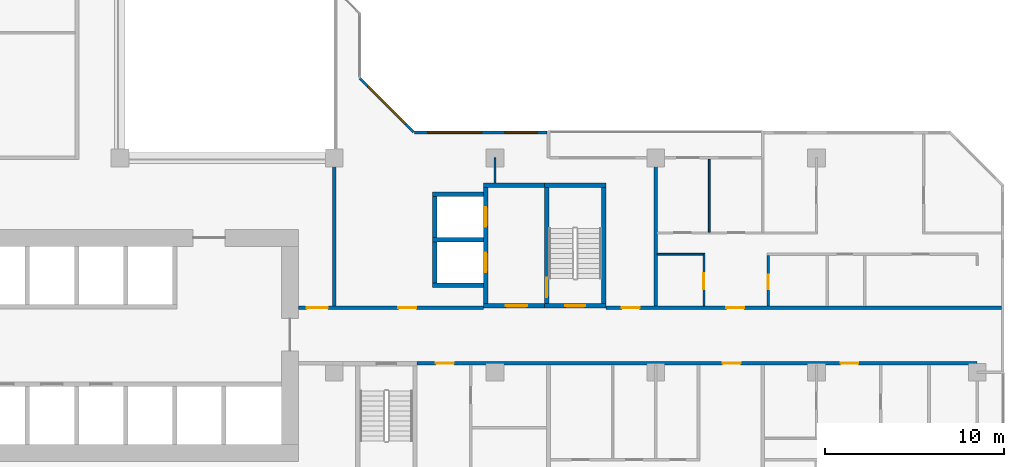
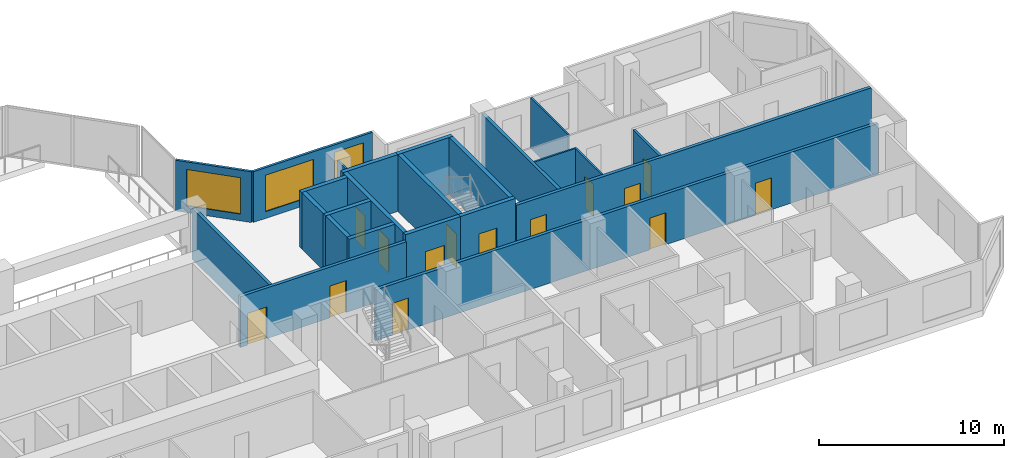
# One storey, part 7 of 14: 24 walls, 14 doors, 3 windows, 17 openings.
"""IFC4 building model written with IfcOpenShell, lengths in metres."""

from ifc_helpers import new_model, si_unit, direction, frame, frame_2d, origin, place, context, subcontext, project, spatial, rectangle, extrude, material, layer, layer_set, type_object, element, fill, save


model = new_model("IFC4")

# Units and contexts
model_context = context("Model", 3, precision=1e-05, world=origin(), true_north=direction((0.0, 1.0)))
body_context = subcontext(model_context, "Body", "Model", "MODEL_VIEW")
ifc_project = project(units=[si_unit("LENGTHUNIT", "METRE"), si_unit("AREAUNIT", "SQUARE_METRE"), si_unit("VOLUMEUNIT", "CUBIC_METRE"), si_unit("PLANEANGLEUNIT", "RADIAN"), si_unit("MASSUNIT", "GRAM", prefix="KILO")], contexts=[model_context])

# Site, building, storey
site_placement = place(None, origin())
site = spatial("IfcSite", under=ifc_project, at=site_placement, CompositionType="ELEMENT")
building_placement = place(site_placement, origin())
building = spatial("IfcBuilding", under=site, at=building_placement, Name="Chenar Terraces", CompositionType="ELEMENT")
storey_placement = place(building_placement, frame((0.0, 0.0, 110.64990234375)))
storey = spatial("IfcBuildingStorey", under=building, at=storey_placement, Name="L25", CompositionType="ELEMENT", Elevation=110.64990234375)

# Wall, opening, door
ifc_material_1 = material(Name="Concrete C70/85", Category="concrete")
ifc_layer_1 = layer(ifc_material_1, 0.25)
ifc_layer_set_1 = layer_set([ifc_layer_1], Name="Concrete C70/85")
wall_type_1 = type_object("IfcWallType", Name="Core wall 250 Concrete C70/85", PredefinedType="SHEAR", material=ifc_layer_set_1)
wall_1_placement = place(storey_placement, frame((47.77490234375, 15.72509765625, 0.0), z_axis=(0.0, 0.0, 1.0), x_axis=(1.0, 0.0, 0.0)))
wall_1 = element("IfcWall", 1, at=wall_1_placement, inside=storey, type_object=wall_type_1, Name="Core wall ST3_S L25", PredefinedType="SHEAR", context=body_context, shape_type="SweptSolid", body=[
    extrude(rectangle(XDim=3.4501953125, YDim=0.25, at=frame_2d((1.72509765625, 0.0))), origin(), (0.0, 0.0, 1.0), 3.75),
])
opening_1_placement = place(wall_1_placement, frame((1.175048828125, 0.0, 0.0)))
opening_1 = element("IfcOpeningElement", 2, at=opening_1_placement, cuts=wall_1, Name="Opening DL25-C8", PredefinedType="OPENING", context=body_context, shape_type="SweptSolid", body=[
    extrude(rectangle(XDim=1.10009765625, YDim=2.199951171875, at=frame_2d((0.550048828125, 1.10009765625))), frame((0.0, 0.135009765625, 0.0), z_axis=(0.0, -1.0, 0.0), x_axis=(1.0, 0.0, 0.0)), (0.0, 0.0, 1.0), 0.27001953125),
])
ifc_material_2 = material(Name="Steel-framed fire-resisting door leaf", Category="steel")
door_type_1 = type_object("IfcDoorType", Name="Stair fire door FD60 1100 x 2200", OperationType="SINGLE_SWING_LEFT", PredefinedType="DOOR", material=ifc_material_2)
door_1_placement = place(opening_1_placement, frame((1.10009765625, 0.0, 0.0), z_axis=(0.0, 0.0, 1.0), x_axis=(-1.0, 0.0, 0.0)))
door_1 = element("IfcDoor", 3, at=door_1_placement, inside=storey, type_object=door_type_1, Name="Stair door DL25-C8", OperationType="SINGLE_SWING_LEFT", OverallHeight=2.199951171875, OverallWidth=1.10009765625, PredefinedType="DOOR", context=body_context, shape_type="SweptSolid", body=[
    extrude(rectangle(XDim=1.10009765625, YDim=2.199951171875, at=frame_2d((0.550048828125, 1.10009765625))), frame((0.0, 0.02490234375, 0.0), z_axis=(0.0, -1.0, 0.0), x_axis=(1.0, 0.0, 0.0)), (0.0, 0.0, 1.0), 0.050048828125),
])
fill(opening_1, door_1)

# Wall
wall_2_placement = place(storey_placement, frame((47.77490234375, 22.47509765625, 0.0), z_axis=(0.0, 0.0, 1.0), x_axis=(1.0, 0.0, 0.0)))
element("IfcWall", 4, at=wall_2_placement, inside=storey, type_object=wall_type_1, Name="Core wall ST3_N L25", PredefinedType="SHEAR", context=body_context, shape_type="SweptSolid", body=[
    extrude(rectangle(XDim=3.4501953125, YDim=0.25, at=frame_2d((1.72509765625, 0.0))), origin(), (0.0, 0.0, 1.0), 3.75),
])

# Wall, opening, door
wall_3_placement = place(storey_placement, frame((47.89990234375, 15.85009765625, 0.0), z_axis=(0.0, 0.0, 1.0), x_axis=(0.0, 1.0, 0.0)))
wall_3 = element("IfcWall", 5, at=wall_3_placement, inside=storey, type_object=wall_type_1, Name="Core wall ST3_W L25", PredefinedType="SHEAR", context=body_context, shape_type="SweptSolid", body=[
    extrude(rectangle(XDim=6.5, YDim=0.25, at=frame_2d((3.25, 0.0))), origin(), (0.0, 0.0, 1.0), 3.75),
])
opening_2_placement = place(wall_3_placement, frame((0.35009765625, 0.0, 0.0)))
opening_2 = element("IfcOpeningElement", 6, at=opening_2_placement, cuts=wall_3, Name="Opening DL25-C11", PredefinedType="OPENING", context=body_context, shape_type="SweptSolid", body=[
    extrude(rectangle(XDim=1.10009765625, YDim=2.199951171875, at=frame_2d((0.550048828125, 1.10009765625))), frame((0.0, 0.135009765625, 0.0), z_axis=(0.0, -1.0, 0.0), x_axis=(1.0, 0.0, 0.0)), (0.0, 0.0, 1.0), 0.27001953125),
])
door_2_placement = place(opening_2_placement, frame((1.10009765625, 0.0, 0.0), z_axis=(0.0, 0.0, 1.0), x_axis=(-1.0, 0.0, 0.0)))
door_2 = element("IfcDoor", 7, at=door_2_placement, inside=storey, type_object=door_type_1, Name="Stair door DL25-C11", OperationType="SINGLE_SWING_RIGHT", OverallHeight=2.199951171875, OverallWidth=1.10009765625, PredefinedType="DOOR", context=body_context, shape_type="SweptSolid", body=[
    extrude(rectangle(XDim=1.10009765625, YDim=2.199951171875, at=frame_2d((0.550048828125, 1.10009765625))), frame((0.0, 0.02490234375, 0.0), z_axis=(0.0, -1.0, 0.0), x_axis=(1.0, 0.0, 0.0)), (0.0, 0.0, 1.0), 0.050048828125),
])
fill(opening_2, door_2)

# Wall
wall_4_placement = place(storey_placement, frame((51.10009765625, 15.85009765625, 0.0), z_axis=(0.0, 0.0, 1.0), x_axis=(0.0, 1.0, 0.0)))
element("IfcWall", 8, at=wall_4_placement, inside=storey, type_object=wall_type_1, Name="Core wall ST3_E L25", PredefinedType="SHEAR", context=body_context, shape_type="SweptSolid", body=[
    extrude(rectangle(XDim=6.5, YDim=0.25, at=frame_2d((3.25, 0.0))), origin(), (0.0, 0.0, 1.0), 3.75),
])

# Wall, opening, door
wall_5_placement = place(storey_placement, frame((44.35009765625, 15.72509765625, 0.0), z_axis=(0.0, 0.0, 1.0), x_axis=(1.0, 0.0, 0.0)))
wall_5 = element("IfcWall", 9, at=wall_5_placement, inside=storey, type_object=wall_type_1, Name="Core wall F3_LS L25", PredefinedType="SHEAR", context=body_context, shape_type="SweptSolid", body=[
    extrude(rectangle(XDim=3.4248046875, YDim=0.25, at=frame_2d((1.71240234375, 0.0))), origin(), (0.0, 0.0, 1.0), 3.75),
])
opening_3_placement = place(wall_5_placement, frame((1.25, 0.0, 0.0)))
opening_3 = element("IfcOpeningElement", 10, at=opening_3_placement, cuts=wall_5, Name="Opening DL25-C10", PredefinedType="OPENING", context=body_context, shape_type="SweptSolid", body=[
    extrude(rectangle(XDim=1.199951171875, YDim=2.199951171875, at=frame_2d((0.60009765625, 1.10009765625))), frame((0.0, 0.135009765625, 0.0), z_axis=(0.0, -1.0, 0.0), x_axis=(1.0, 0.0, 0.0)), (0.0, 0.0, 1.0), 0.27001953125),
])
ifc_material_3 = material(Name="Steel-framed fire-resisting door leaf", Category="steel")
door_type_2 = type_object("IfcDoorType", Name="Lobby fire door FD60 1200 x 2200", OperationType="SINGLE_SWING_LEFT", PredefinedType="DOOR", material=ifc_material_3)
door_3_placement = place(opening_3_placement, origin())
door_3 = element("IfcDoor", 11, at=door_3_placement, inside=storey, type_object=door_type_2, Name="Core door DL25-C10", OperationType="SINGLE_SWING_RIGHT", OverallHeight=2.199951171875, OverallWidth=1.199951171875, PredefinedType="DOOR", context=body_context, shape_type="SweptSolid", body=[
    extrude(rectangle(XDim=1.199951171875, YDim=2.199951171875, at=frame_2d((0.60009765625, 1.10009765625))), frame((0.0, 0.02490234375, 0.0), z_axis=(0.0, -1.0, 0.0), x_axis=(1.0, 0.0, 0.0)), (0.0, 0.0, 1.0), 0.050048828125),
])
fill(opening_3, door_3)

# Wall
wall_6_placement = place(storey_placement, frame((44.35009765625, 22.47509765625, 0.0), z_axis=(0.0, 0.0, 1.0), x_axis=(1.0, 0.0, 0.0)))
element("IfcWall", 12, at=wall_6_placement, inside=storey, type_object=wall_type_1, Name="Core wall F3_LN L25", PredefinedType="SHEAR", context=body_context, shape_type="SweptSolid", body=[
    extrude(rectangle(XDim=3.4248046875, YDim=0.25, at=frame_2d((1.71240234375, 0.0))), origin(), (0.0, 0.0, 1.0), 3.75),
])

# Wall, openings, doors
wall_7_placement = place(storey_placement, frame((44.47509765625, 15.85009765625, 0.0), z_axis=(0.0, 0.0, 1.0), x_axis=(0.0, 1.0, 0.0)))
wall_7 = element("IfcWall", 13, at=wall_7_placement, inside=storey, type_object=wall_type_1, Name="Core wall F3_LW L25", PredefinedType="SHEAR", context=body_context, shape_type="SweptSolid", body=[
    extrude(rectangle(XDim=6.5, YDim=0.25, at=frame_2d((3.25, 0.0))), origin(), (0.0, 0.0, 1.0), 3.75),
])
opening_4_placement = place(wall_7_placement, frame((1.75, 0.0, 0.0)))
opening_4 = element("IfcOpeningElement", 14, at=opening_4_placement, cuts=wall_7, Name="Opening DL25-LD8", PredefinedType="OPENING", context=body_context, shape_type="SweptSolid", body=[
    extrude(rectangle(XDim=1.10009765625, YDim=2.199951171875, at=frame_2d((0.550048828125, 1.10009765625))), frame((0.0, 0.135009765625, 0.0), z_axis=(0.0, -1.0, 0.0), x_axis=(1.0, 0.0, 0.0)), (0.0, 0.0, 1.0), 0.27001953125),
])
opening_5_placement = place(wall_7_placement, frame((4.300048828125, 0.0, 0.0)))
opening_5 = element("IfcOpeningElement", 15, at=opening_5_placement, cuts=wall_7, Name="Opening DL25-LD9", PredefinedType="OPENING", context=body_context, shape_type="SweptSolid", body=[
    extrude(rectangle(XDim=1.10009765625, YDim=2.199951171875, at=frame_2d((0.550048828125, 1.10009765625))), frame((0.0, 0.135009765625, 0.0), z_axis=(0.0, -1.0, 0.0), x_axis=(1.0, 0.0, 0.0)), (0.0, 0.0, 1.0), 0.27001953125),
])
ifc_material_4 = material(Name="Stainless steel", Category="steel")
door_type_3 = type_object("IfcDoorType", Name="Lift landing door 1100 x 2200 sliding", OperationType="DOUBLE_DOOR_SLIDING", PredefinedType="DOOR", material=ifc_material_4)
door_4_placement = place(opening_4_placement, origin())
door_4 = element("IfcDoor", 16, at=door_4_placement, inside=storey, type_object=door_type_3, Name="Landing door F3", OperationType="DOUBLE_DOOR_SLIDING", OverallHeight=2.199951171875, OverallWidth=1.10009765625, PredefinedType="DOOR", context=body_context, shape_type="SweptSolid", body=[
    extrude(rectangle(XDim=1.10009765625, YDim=2.199951171875, at=frame_2d((0.550048828125, 1.10009765625))), frame((0.0, 0.02490234375, 0.0), z_axis=(0.0, -1.0, 0.0), x_axis=(1.0, 0.0, 0.0)), (0.0, 0.0, 1.0), 0.050048828125),
])
fill(opening_4, door_4)
door_5_placement = place(opening_5_placement, origin())
door_5 = element("IfcDoor", 17, at=door_5_placement, inside=storey, type_object=door_type_3, Name="Landing door F4", OperationType="DOUBLE_DOOR_SLIDING", OverallHeight=2.199951171875, OverallWidth=1.10009765625, PredefinedType="DOOR", context=body_context, shape_type="SweptSolid", body=[
    extrude(rectangle(XDim=1.10009765625, YDim=2.199951171875, at=frame_2d((0.550048828125, 1.10009765625))), frame((0.0, 0.02490234375, 0.0), z_axis=(0.0, -1.0, 0.0), x_axis=(1.0, 0.0, 0.0)), (0.0, 0.0, 1.0), 0.050048828125),
])
fill(opening_5, door_5)

# Walls
for number, where, z_axis, x_axis, name in (
    (18, (41.5, 16.875, 0.0), (0.0, 0.0, 1.0), (1.0, 0.0, 0.0), "Core wall F3_SS L25"),
    (19, (41.5, 19.425048828125, 0.0), (0.0, 0.0, 1.0), (1.0, 0.0, 0.0), "Core wall F3_SM L25"),
    (20, (41.5, 21.97509765625, 0.0), (0.0, 0.0, 1.0), (1.0, 0.0, 0.0), "Core wall F4_SN L25"),
):
    element("IfcWall", number, at=place(storey_placement, frame(where, z_axis=z_axis, x_axis=x_axis)), inside=storey, type_object=wall_type_1, Name=name, PredefinedType="SHEAR", context=body_context, shape_type="SweptSolid", body=[
        extrude(rectangle(XDim=2.85009765625, YDim=0.25, at=frame_2d((1.425048828125, 0.0))), origin(), (0.0, 0.0, 1.0), 3.75),
    ])
for number, where, z_axis, x_axis, name in (
    (21, (41.625, 17.0, 0.0), (0.0, 0.0, 1.0), (0.0, 1.0, 0.0), "Core wall F3_SW L25"),
    (22, (41.625, 19.550048828125, 0.0), (0.0, 0.0, 1.0), (0.0, 1.0, 0.0), "Core wall F4_SW L25"),
):
    element("IfcWall", number, at=place(storey_placement, frame(where, z_axis=z_axis, x_axis=x_axis)), inside=storey, type_object=wall_type_1, Name=name, PredefinedType="SHEAR", context=body_context, shape_type="SweptSolid", body=[
        extrude(rectangle(XDim=2.300048828125, YDim=0.25, at=frame_2d((1.14990234375, 0.0))), origin(), (0.0, 0.0, 1.0), 3.75),
    ])

# Wall, openings, doors
ifc_material_5 = material(Name="Gypsum board on steel studs with fire boards", Category="steel")
ifc_layer_2 = layer(ifc_material_5, 0.199951171875)
ifc_layer_set_2 = layer_set([ifc_layer_2], Name="Gypsum board on steel studs with fire boards")
wall_type_2 = type_object("IfcWallType", Name="Corridor wall 200", PredefinedType="PARTITIONING", material=ifc_layer_set_2)
wall_8_placement = place(storey_placement, frame((34.0, 15.60009765625, 0.0), z_axis=(0.0, 0.0, 1.0), x_axis=(1.0, 0.0, 0.0)))
wall_8 = element("IfcWall", 23, at=wall_8_placement, inside=storey, type_object=wall_type_2, Name="Partition L25-062", PredefinedType="PARTITIONING", context=body_context, shape_type="SweptSolid", body=[
    extrude(rectangle(XDim=10.35009765625, YDim=0.199951171875, at=frame_2d((5.175048828125, 0.0))), origin(), (0.0, 0.0, 1.0), 3.35009765625),
])
opening_6_placement = place(wall_8_placement, frame((5.60009765625, 0.0, 0.0)))
opening_6 = element("IfcOpeningElement", 24, at=opening_6_placement, cuts=wall_8, Name="Opening DL25-3", PredefinedType="OPENING", context=body_context, shape_type="SweptSolid", body=[
    extrude(rectangle(XDim=1.0, YDim=2.10009765625, at=frame_2d((0.5, 1.050048828125))), frame((0.0, 0.10986328125, 0.0), z_axis=(0.0, -1.0, 0.0), x_axis=(1.0, 0.0, 0.0)), (0.0, 0.0, 1.0), 0.219970703125),
])
opening_7_placement = place(wall_8_placement, frame((0.449951171875, 0.0, 0.0)))
opening_7 = element("IfcOpeningElement", 25, at=opening_7_placement, cuts=wall_8, Name="Opening DL25-46", PredefinedType="OPENING", context=body_context, shape_type="SweptSolid", body=[
    extrude(rectangle(XDim=1.199951171875, YDim=2.10009765625, at=frame_2d((0.60009765625, 1.050048828125))), frame((0.0, 0.10986328125, 0.0), z_axis=(0.0, -1.0, 0.0), x_axis=(1.0, 0.0, 0.0)), (0.0, 0.0, 1.0), 0.219970703125),
])
ifc_material_6 = material(Name="Steel-framed fire-resisting door leaf", Category="steel")
door_type_4 = type_object("IfcDoorType", Name="Fire door FD60 1000 x 2100", OperationType="SINGLE_SWING_LEFT", PredefinedType="DOOR", material=ifc_material_6)
door_6_placement = place(opening_6_placement, origin())
door_6 = element("IfcDoor", 26, at=door_6_placement, inside=storey, type_object=door_type_4, Name="Door DL25-3", OperationType="SINGLE_SWING_RIGHT", OverallHeight=2.10009765625, OverallWidth=1.0, PredefinedType="DOOR", context=body_context, shape_type="SweptSolid", body=[
    extrude(rectangle(XDim=1.0, YDim=2.10009765625, at=frame_2d((0.5, 1.050048828125))), frame((0.0, 0.02490234375, 0.0), z_axis=(0.0, -1.0, 0.0), x_axis=(1.0, 0.0, 0.0)), (0.0, 0.0, 1.0), 0.050048828125),
])
fill(opening_6, door_6)
ifc_material_7 = material(Name="Steel-framed fire-resisting door leaf", Category="steel")
door_type_5 = type_object("IfcDoorType", Name="Fire door FD60 1200 x 2100", OperationType="SINGLE_SWING_LEFT", PredefinedType="DOOR", material=ifc_material_7)
door_7_placement = place(opening_7_placement, origin())
door_7 = element("IfcDoor", 27, at=door_7_placement, inside=storey, type_object=door_type_5, Name="Door DL25-46", OperationType="SINGLE_SWING_RIGHT", OverallHeight=2.10009765625, OverallWidth=1.199951171875, PredefinedType="DOOR", context=body_context, shape_type="SweptSolid", body=[
    extrude(rectangle(XDim=1.199951171875, YDim=2.10009765625, at=frame_2d((0.60009765625, 1.050048828125))), frame((0.0, 0.02490234375, 0.0), z_axis=(0.0, -1.0, 0.0), x_axis=(1.0, 0.0, 0.0)), (0.0, 0.0, 1.0), 0.050048828125),
])
fill(opening_7, door_7)

# Wall
wall_9_placement = place(storey_placement, frame((36.0, 15.699951171875, 0.0), z_axis=(0.0, 0.0, 1.0), x_axis=(0.0, 1.0, 0.0)))
element("IfcWall", 28, at=wall_9_placement, inside=storey, type_object=wall_type_2, Name="Partition L25-063", PredefinedType="PARTITIONING", context=body_context, shape_type="SweptSolid", body=[
    extrude(rectangle(XDim=8.300048828125, YDim=0.199951171875, at=frame_2d((4.14990234375, 0.0))), origin(), (0.0, 0.0, 1.0), 3.35009765625),
])

# Wall, openings, doors
wall_10_placement = place(storey_placement, frame((40.64990234375, 12.5, 0.0), z_axis=(0.0, 0.0, 1.0), x_axis=(1.0, 0.0, 0.0)))
wall_10 = element("IfcWall", 29, at=wall_10_placement, inside=storey, type_object=wall_type_2, Name="Partition L25-064", PredefinedType="PARTITIONING", context=body_context, shape_type="SweptSolid", body=[
    extrude(rectangle(XDim=31.35009765625, YDim=0.199951171875, at=frame_2d((15.675048828125, 0.0))), origin(), (0.0, 0.0, 1.0), 3.35009765625),
])
opening_8_placement = place(wall_10_placement, frame((17.10009765625, 0.0, 0.0)))
opening_8 = element("IfcOpeningElement", 30, at=opening_8_placement, cuts=wall_10, Name="Opening DL25-18", PredefinedType="OPENING", context=body_context, shape_type="SweptSolid", body=[
    extrude(rectangle(XDim=1.0, YDim=2.10009765625, at=frame_2d((0.5, 1.050048828125))), frame((0.0, 0.10986328125, 0.0), z_axis=(0.0, -1.0, 0.0), x_axis=(1.0, 0.0, 0.0)), (0.0, 0.0, 1.0), 0.219970703125),
])
opening_9_placement = place(wall_10_placement, frame((23.699951171875, 0.0, 0.0)))
opening_9 = element("IfcOpeningElement", 31, at=opening_9_placement, cuts=wall_10, Name="Opening DL25-24", PredefinedType="OPENING", context=body_context, shape_type="SweptSolid", body=[
    extrude(rectangle(XDim=1.0, YDim=2.10009765625, at=frame_2d((0.5, 1.050048828125))), frame((0.0, 0.10986328125, 0.0), z_axis=(0.0, -1.0, 0.0), x_axis=(1.0, 0.0, 0.0)), (0.0, 0.0, 1.0), 0.219970703125),
])
opening_10_placement = place(wall_10_placement, frame((1.050048828125, 0.0, 0.0)))
opening_10 = element("IfcOpeningElement", 32, at=opening_10_placement, cuts=wall_10, Name="Opening DL25-60", PredefinedType="OPENING", context=body_context, shape_type="SweptSolid", body=[
    extrude(rectangle(XDim=1.0, YDim=2.10009765625, at=frame_2d((0.5, 1.050048828125))), frame((0.0, 0.10986328125, 0.0), z_axis=(0.0, -1.0, 0.0), x_axis=(1.0, 0.0, 0.0)), (0.0, 0.0, 1.0), 0.219970703125),
])
ifc_material_8 = material(Name="Steel-framed fire-resisting door leaf", Category="steel")
door_type_6 = type_object("IfcDoorType", Name="Fire door FD30S 1000 x 2100", OperationType="SINGLE_SWING_LEFT", PredefinedType="DOOR", material=ifc_material_8)
door_8_placement = place(opening_8_placement, frame((1.0, 0.0, 0.0), z_axis=(0.0, 0.0, 1.0), x_axis=(-1.0, 0.0, 0.0)))
door_8 = element("IfcDoor", 33, at=door_8_placement, inside=storey, type_object=door_type_6, Name="Door DL25-18", OperationType="SINGLE_SWING_LEFT", OverallHeight=2.10009765625, OverallWidth=1.0, PredefinedType="DOOR", context=body_context, shape_type="SweptSolid", body=[
    extrude(rectangle(XDim=1.0, YDim=2.10009765625, at=frame_2d((0.5, 1.050048828125))), frame((0.0, 0.02490234375, 0.0), z_axis=(0.0, -1.0, 0.0), x_axis=(1.0, 0.0, 0.0)), (0.0, 0.0, 1.0), 0.050048828125),
])
fill(opening_8, door_8)
door_9_placement = place(opening_9_placement, frame((1.0, 0.0, 0.0), z_axis=(0.0, 0.0, 1.0), x_axis=(-1.0, 0.0, 0.0)))
door_9 = element("IfcDoor", 34, at=door_9_placement, inside=storey, type_object=door_type_6, Name="Door DL25-24", OperationType="SINGLE_SWING_RIGHT", OverallHeight=2.10009765625, OverallWidth=1.0, PredefinedType="DOOR", context=body_context, shape_type="SweptSolid", body=[
    extrude(rectangle(XDim=1.0, YDim=2.10009765625, at=frame_2d((0.5, 1.050048828125))), frame((0.0, 0.02490234375, 0.0), z_axis=(0.0, -1.0, 0.0), x_axis=(1.0, 0.0, 0.0)), (0.0, 0.0, 1.0), 0.050048828125),
])
fill(opening_9, door_9)
door_10_placement = place(opening_10_placement, origin())
door_10 = element("IfcDoor", 35, at=door_10_placement, inside=storey, type_object=door_type_6, Name="Door DL25-60", OperationType="SINGLE_SWING_RIGHT", OverallHeight=2.10009765625, OverallWidth=1.0, PredefinedType="DOOR", context=body_context, shape_type="SweptSolid", body=[
    extrude(rectangle(XDim=1.0, YDim=2.10009765625, at=frame_2d((0.5, 1.050048828125))), frame((0.0, 0.02490234375, 0.0), z_axis=(0.0, -1.0, 0.0), x_axis=(1.0, 0.0, 0.0)), (0.0, 0.0, 1.0), 0.050048828125),
])
fill(opening_10, door_10)

wall_11_placement = place(storey_placement, frame((51.22509765625, 15.60009765625, 0.0), z_axis=(0.0, 0.0, 1.0), x_axis=(1.0, 0.0, 0.0)))
wall_11 = element("IfcWall", 36, at=wall_11_placement, inside=storey, type_object=wall_type_2, Name="Partition L25-075", PredefinedType="PARTITIONING", context=body_context, shape_type="SweptSolid", body=[
    extrude(rectangle(XDim=22.125, YDim=0.199951171875, at=frame_2d((11.0625, 0.0))), origin(), (0.0, 0.0, 1.0), 3.35009765625),
])
opening_11_placement = place(wall_11_placement, frame((6.72509765625, 0.0, 0.0)))
opening_11 = element("IfcOpeningElement", 37, at=opening_11_placement, cuts=wall_11, Name="Opening DL25-10", PredefinedType="OPENING", context=body_context, shape_type="SweptSolid", body=[
    extrude(rectangle(XDim=1.0, YDim=2.10009765625, at=frame_2d((0.5, 1.050048828125))), frame((0.0, 0.10986328125, 0.0), z_axis=(0.0, -1.0, 0.0), x_axis=(1.0, 0.0, 0.0)), (0.0, 0.0, 1.0), 0.219970703125),
])
opening_12_placement = place(wall_11_placement, frame((0.875, 0.0, 0.0)))
opening_12 = element("IfcOpeningElement", 38, at=opening_12_placement, cuts=wall_11, Name="Opening DL25-49", PredefinedType="OPENING", context=body_context, shape_type="SweptSolid", body=[
    extrude(rectangle(XDim=1.0, YDim=2.10009765625, at=frame_2d((0.5, 1.050048828125))), frame((0.0, 0.10986328125, 0.0), z_axis=(0.0, -1.0, 0.0), x_axis=(1.0, 0.0, 0.0)), (0.0, 0.0, 1.0), 0.219970703125),
])
door_11_placement = place(opening_11_placement, origin())
door_11 = element("IfcDoor", 39, at=door_11_placement, inside=storey, type_object=door_type_6, Name="Door DL25-10", OperationType="SINGLE_SWING_LEFT", OverallHeight=2.10009765625, OverallWidth=1.0, PredefinedType="DOOR", context=body_context, shape_type="SweptSolid", body=[
    extrude(rectangle(XDim=1.0, YDim=2.10009765625, at=frame_2d((0.5, 1.050048828125))), frame((0.0, 0.02490234375, 0.0), z_axis=(0.0, -1.0, 0.0), x_axis=(1.0, 0.0, 0.0)), (0.0, 0.0, 1.0), 0.050048828125),
])
fill(opening_11, door_11)
door_12_placement = place(opening_12_placement, origin())
door_12 = element("IfcDoor", 40, at=door_12_placement, inside=storey, type_object=door_type_6, Name="Door DL25-49", OperationType="SINGLE_SWING_RIGHT", OverallHeight=2.10009765625, OverallWidth=1.0, PredefinedType="DOOR", context=body_context, shape_type="SweptSolid", body=[
    extrude(rectangle(XDim=1.0, YDim=2.10009765625, at=frame_2d((0.5, 1.050048828125))), frame((0.0, 0.02490234375, 0.0), z_axis=(0.0, -1.0, 0.0), x_axis=(1.0, 0.0, 0.0)), (0.0, 0.0, 1.0), 0.050048828125),
])
fill(opening_12, door_12)

# Wall, openings, windows
ifc_material_9 = material(Name="Aluminium framed glazing", Category="aluminium")
ifc_layer_3 = layer(ifc_material_9, 0.14990234375)
ifc_layer_set_3 = layer_set([ifc_layer_3], Name="Aluminium framed glazing")
wall_type_3 = type_object("IfcWallType", Name="Glazed flush facade wall 150", PredefinedType="SOLIDWALL", material=ifc_layer_set_3)
wall_12_placement = place(storey_placement, frame((47.925048828125, 25.425048828125, 0.0), z_axis=(0.0, 0.0, 1.0), x_axis=(-1.0, 0.0, 0.0)))
wall_12 = element("IfcWall", 41, at=wall_12_placement, inside=storey, type_object=wall_type_3, Name="Glazed flush facade wall", PredefinedType="SOLIDWALL", context=body_context, shape_type="SweptSolid", body=[
    extrude(rectangle(XDim=7.425048828125, YDim=0.14990234375, at=frame_2d((3.71240234375, 0.0))), origin(), (0.0, 0.0, 1.0), 3.35009765625),
])
opening_13_placement = place(wall_12_placement, frame((0.5625, 0.0, 0.449951171875)))
opening_13 = element("IfcOpeningElement", 42, at=opening_13_placement, cuts=wall_12, Name="Opening W180x240", PredefinedType="OPENING", context=body_context, shape_type="SweptSolid", body=[
    extrude(rectangle(XDim=1.800048828125, YDim=2.39990234375, at=frame_2d((0.89990234375, 1.199951171875))), frame((0.0, 0.0849609375, 0.0), z_axis=(0.0, -1.0, 0.0), x_axis=(1.0, 0.0, 0.0)), (0.0, 0.0, 1.0), 0.169921875),
])
opening_14_placement = place(wall_12_placement, frame((3.675048828125, 0.0, 0.449951171875)))
opening_14 = element("IfcOpeningElement", 43, at=opening_14_placement, cuts=wall_12, Name="Opening W300x240", PredefinedType="OPENING", context=body_context, shape_type="SweptSolid", body=[
    extrude(rectangle(XDim=3.0, YDim=2.39990234375, at=frame_2d((1.5, 1.199951171875))), frame((0.0, 0.0849609375, 0.0), z_axis=(0.0, -1.0, 0.0), x_axis=(1.0, 0.0, 0.0)), (0.0, 0.0, 1.0), 0.169921875),
])
ifc_material_10 = material(Name="Low emissivity double glazing, aluminium frame", Category="aluminium")
window_type_1 = type_object("IfcWindowType", Name="Fixed light 1800 x 2400", PartitioningType="SINGLE_PANEL", PredefinedType="WINDOW", material=ifc_material_10)
window_1_placement = place(opening_13_placement, origin())
window_1 = element("IfcWindow", 44, at=window_1_placement, inside=storey, type_object=window_type_1, Name="Window", OverallHeight=2.39990234375, OverallWidth=1.800048828125, PartitioningType="SINGLE_PANEL", PredefinedType="WINDOW", context=body_context, shape_type="SweptSolid", body=[
    extrude(rectangle(XDim=1.800048828125, YDim=2.39990234375, at=frame_2d((0.89990234375, 1.199951171875))), frame((0.0, 0.030029296875, 0.0), z_axis=(0.0, -1.0, 0.0), x_axis=(1.0, 0.0, 0.0)), (0.0, 0.0, 1.0), 0.06005859375),
])
fill(opening_13, window_1)
ifc_material_11 = material(Name="Low emissivity double glazing, aluminium frame", Category="aluminium")
window_type_2 = type_object("IfcWindowType", Name="Fixed light 3000 x 2400", PartitioningType="SINGLE_PANEL", PredefinedType="WINDOW", material=ifc_material_11)
window_2_placement = place(opening_14_placement, origin())
window_2 = element("IfcWindow", 45, at=window_2_placement, inside=storey, type_object=window_type_2, Name="Window", OverallHeight=2.39990234375, OverallWidth=3.0, PartitioningType="SINGLE_PANEL", PredefinedType="WINDOW", context=body_context, shape_type="SweptSolid", body=[
    extrude(rectangle(XDim=3.0, YDim=2.39990234375, at=frame_2d((1.5, 1.199951171875))), frame((0.0, 0.030029296875, 0.0), z_axis=(0.0, -1.0, 0.0), x_axis=(1.0, 0.0, 0.0)), (0.0, 0.0, 1.0), 0.06005859375),
])
fill(opening_14, window_2)

# Walls
ifc_material_12 = material(Name="Gypsum board on steel studs", Category="steel")
ifc_layer_4 = layer(ifc_material_12, 0.10009765625)
ifc_layer_set_4 = layer_set([ifc_layer_4], Name="Gypsum board on steel studs")
wall_type_4 = type_object("IfcWallType", Name="Gypsum partition 100", PredefinedType="PARTITIONING", material=ifc_layer_set_4)
wall_13_placement = place(storey_placement, frame((45.0, 22.60009765625, 0.0), z_axis=(0.0, 0.0, 1.0), x_axis=(0.0, 1.0, 0.0)))
element("IfcWall", 46, at=wall_13_placement, inside=storey, type_object=wall_type_4, Name="Partition L25-070", PredefinedType="PARTITIONING", context=body_context, shape_type="SweptSolid", body=[
    extrude(rectangle(XDim=1.39990234375, YDim=0.10009765625, at=frame_2d((0.699951171875, 0.0))), origin(), (0.0, 0.0, 1.0), 3.35009765625),
])
wall_14_placement = place(storey_placement, frame((54.10009765625, 18.60009765625, 0.0), z_axis=(0.0, 0.0, 1.0), x_axis=(1.0, 0.0, 0.0)))
element("IfcWall", 47, at=wall_14_placement, inside=storey, type_object=wall_type_4, Name="Partition L25-081", PredefinedType="PARTITIONING", context=body_context, shape_type="SweptSolid", body=[
    extrude(rectangle(XDim=2.5498046875, YDim=0.10009765625, at=frame_2d((1.27490234375, 0.0))), origin(), (0.0, 0.0, 1.0), 3.35009765625),
])

# Wall, opening, door
wall_15_placement = place(storey_placement, frame((56.699951171875, 15.699951171875, 0.0), z_axis=(0.0, 0.0, 1.0), x_axis=(0.0, 1.0, 0.0)))
wall_15 = element("IfcWall", 48, at=wall_15_placement, inside=storey, type_object=wall_type_4, Name="Partition L25-084", PredefinedType="PARTITIONING", context=body_context, shape_type="SweptSolid", body=[
    extrude(rectangle(XDim=2.949951171875, YDim=0.10009765625, at=frame_2d((1.47509765625, 0.0))), origin(), (0.0, 0.0, 1.0), 3.35009765625),
])
opening_15_placement = place(wall_15_placement, frame((0.949951171875, 0.0, 0.0)))
opening_15 = element("IfcOpeningElement", 49, at=opening_15_placement, cuts=wall_15, Name="Opening DL25-11", PredefinedType="OPENING", context=body_context, shape_type="SweptSolid", body=[
    extrude(rectangle(XDim=0.89990234375, YDim=2.10009765625, at=frame_2d((0.449951171875, 1.050048828125))), frame((0.0, 0.06005859375, 0.0), z_axis=(0.0, -1.0, 0.0), x_axis=(1.0, 0.0, 0.0)), (0.0, 0.0, 1.0), 0.1201171875),
])
ifc_material_13 = material(Name="Veneered timber door leaf", Category="wood")
door_type_7 = type_object("IfcDoorType", Name="Door 900 x 2100", OperationType="SINGLE_SWING_LEFT", PredefinedType="DOOR", material=ifc_material_13)
door_13_placement = place(opening_15_placement, origin())
door_13 = element("IfcDoor", 50, at=door_13_placement, inside=storey, type_object=door_type_7, Name="Door DL25-11", OperationType="SINGLE_SWING_LEFT", OverallHeight=2.10009765625, OverallWidth=0.89990234375, PredefinedType="DOOR", context=body_context, shape_type="SweptSolid", body=[
    extrude(rectangle(XDim=0.89990234375, YDim=2.10009765625, at=frame_2d((0.449951171875, 1.050048828125))), frame((0.0, 0.02490234375, 0.0), z_axis=(0.0, -1.0, 0.0), x_axis=(1.0, 0.0, 0.0)), (0.0, 0.0, 1.0), 0.050048828125),
])
fill(opening_15, door_13)

# Wall
wall_16_placement = place(storey_placement, frame((57.0, 19.85009765625, 0.0), z_axis=(0.0, 0.0, 1.0), x_axis=(0.0, 1.0, 0.0)))
element("IfcWall", 51, at=wall_16_placement, inside=storey, type_object=wall_type_4, Name="Partition L25-086", PredefinedType="PARTITIONING", context=body_context, shape_type="SweptSolid", body=[
    extrude(rectangle(XDim=4.075927734375, YDim=0.10009765625, at=frame_2d((2.0380859375, 0.0))), origin(), (0.0, 0.0, 1.0), 3.35009765625),
])

# Wall, opening, window
ifc_material_14 = material(Name="Terracotta cladding on insulated backing", Category="masonry")
ifc_layer_5 = layer(ifc_material_14, 0.14990234375)
ifc_layer_set_5 = layer_set([ifc_layer_5], Name="Terracotta cladding on insulated backing")
wall_type_5 = type_object("IfcWallType", Name="Terracotta rainscreen wall 150", PredefinedType="SOLIDWALL", material=ifc_layer_set_5)
wall_17_placement = place(storey_placement, frame((40.447021484375, 25.447021484375, 0.0), z_axis=(0.0, 0.0, 1.0), x_axis=(-0.707106781187, 0.707106781187, 0.0)))
wall_17 = element("IfcWall", 52, at=wall_17_placement, inside=storey, type_object=wall_type_5, Name="Terracotta rainscreen wall", PredefinedType="SOLIDWALL", context=body_context, shape_type="SweptSolid", body=[
    extrude(rectangle(XDim=4.24267578125, YDim=0.14990234375, at=frame_2d((2.121337890625, 0.0))), origin(), (0.0, 0.0, 1.0), 3.35009765625),
])
opening_16_placement = place(wall_17_placement, frame((0.621337890625, 0.0, 0.449951171875)))
opening_16 = element("IfcOpeningElement", 53, at=opening_16_placement, cuts=wall_17, Name="Opening W300x240", PredefinedType="OPENING", context=body_context, shape_type="SweptSolid", body=[
    extrude(rectangle(XDim=3.0, YDim=2.39990234375, at=frame_2d((1.5, 1.199951171875))), frame((0.0, 0.0849609375, 0.0), z_axis=(0.0, -1.0, 0.0), x_axis=(1.0, 0.0, 0.0)), (0.0, 0.0, 1.0), 0.169921875),
])
window_3_placement = place(opening_16_placement, origin())
window_3 = element("IfcWindow", 54, at=window_3_placement, inside=storey, type_object=window_type_2, Name="Window", OverallHeight=2.39990234375, OverallWidth=3.0, PartitioningType="SINGLE_PANEL", PredefinedType="WINDOW", context=body_context, shape_type="SweptSolid", body=[
    extrude(rectangle(XDim=3.0, YDim=2.39990234375, at=frame_2d((1.5, 1.199951171875))), frame((0.0, 0.030029296875, 0.0), z_axis=(0.0, -1.0, 0.0), x_axis=(1.0, 0.0, 0.0)), (0.0, 0.0, 1.0), 0.06005859375),
])
fill(opening_16, window_3)

# Wall
ifc_material_15 = material(Name="Twin gypsum board on steel studs with mineral wool", Category="steel")
ifc_layer_6 = layer(ifc_material_15, 0.199951171875)
ifc_layer_set_6 = layer_set([ifc_layer_6], Name="Twin gypsum board on steel studs with mineral wool")
wall_type_6 = type_object("IfcWallType", Name="Unit demising wall 200", PredefinedType="PARTITIONING", material=ifc_layer_set_6)
wall_18_placement = place(storey_placement, frame((54.0, 15.699951171875, 0.0), z_axis=(0.0, 0.0, 1.0), x_axis=(0.0, 1.0, 0.0)))
element("IfcWall", 55, at=wall_18_placement, inside=storey, type_object=wall_type_6, Name="Partition L25-079", PredefinedType="PARTITIONING", context=body_context, shape_type="SweptSolid", body=[
    extrude(rectangle(XDim=8.22607421875, YDim=0.199951171875, at=frame_2d((4.113037109375, 0.0))), origin(), (0.0, 0.0, 1.0), 3.35009765625),
])

# Wall, opening, door
ifc_material_16 = material(Name="Moisture-resistant gypsum board on steel studs", Category="steel")
ifc_layer_7 = layer(ifc_material_16, 0.14990234375)
ifc_layer_set_7 = layer_set([ifc_layer_7], Name="Moisture-resistant gypsum board on steel studs")
wall_type_7 = type_object("IfcWallType", Name="Wet-room partition 150", PredefinedType="PARTITIONING", material=ifc_layer_set_7)
wall_19_placement = place(storey_placement, frame((60.300048828125, 15.699951171875, 0.0), z_axis=(0.0, 0.0, 1.0), x_axis=(0.0, 1.0, 0.0)))
wall_19 = element("IfcWall", 56, at=wall_19_placement, inside=storey, type_object=wall_type_7, Name="Partition L25-093", PredefinedType="PARTITIONING", context=body_context, shape_type="SweptSolid", body=[
    extrude(rectangle(XDim=2.824951171875, YDim=0.14990234375, at=frame_2d((1.41259765625, 0.0))), origin(), (0.0, 0.0, 1.0), 3.35009765625),
])
opening_17_placement = place(wall_19_placement, frame((0.949951171875, 0.0, 0.0)))
opening_17 = element("IfcOpeningElement", 57, at=opening_17_placement, cuts=wall_19, Name="Opening DL25-4", PredefinedType="OPENING", context=body_context, shape_type="SweptSolid", body=[
    extrude(rectangle(XDim=0.800048828125, YDim=2.10009765625, at=frame_2d((0.39990234375, 1.050048828125))), frame((0.0, 0.0849609375, 0.0), z_axis=(0.0, -1.0, 0.0), x_axis=(1.0, 0.0, 0.0)), (0.0, 0.0, 1.0), 0.169921875),
])
ifc_material_17 = material(Name="Veneered timber door leaf", Category="wood")
door_type_8 = type_object("IfcDoorType", Name="Door 800 x 2100", OperationType="SINGLE_SWING_LEFT", PredefinedType="DOOR", material=ifc_material_17)
door_14_placement = place(opening_17_placement, frame((0.800048828125, 0.0, 0.0), z_axis=(0.0, 0.0, 1.0), x_axis=(-1.0, 0.0, 0.0)))
door_14 = element("IfcDoor", 58, at=door_14_placement, inside=storey, type_object=door_type_8, Name="Door DL25-4", OperationType="SINGLE_SWING_RIGHT", OverallHeight=2.10009765625, OverallWidth=0.800048828125, PredefinedType="DOOR", context=body_context, shape_type="SweptSolid", body=[
    extrude(rectangle(XDim=0.800048828125, YDim=2.10009765625, at=frame_2d((0.39990234375, 1.050048828125))), frame((0.0, 0.02490234375, 0.0), z_axis=(0.0, -1.0, 0.0), x_axis=(1.0, 0.0, 0.0)), (0.0, 0.0, 1.0), 0.050048828125),
])
fill(opening_17, door_14)

save(model, "model.ifc")
